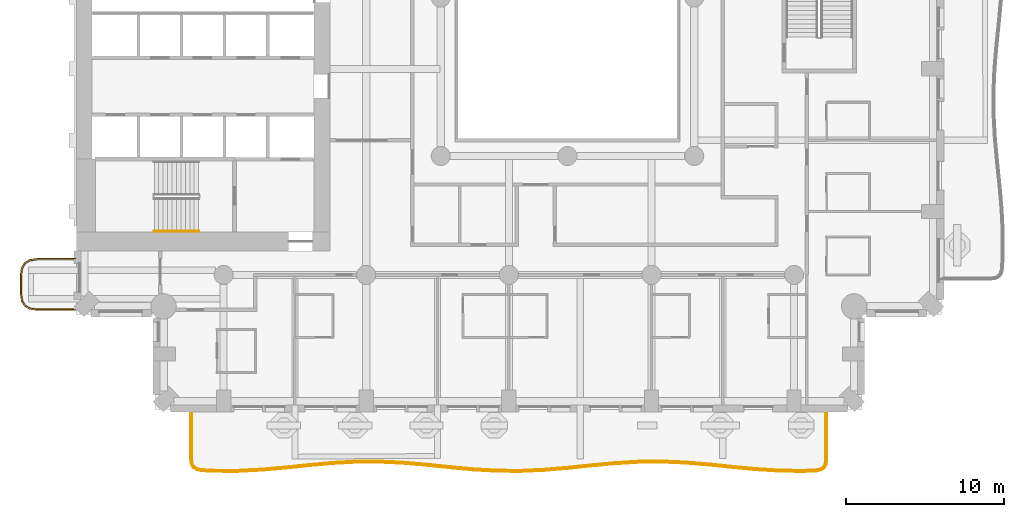
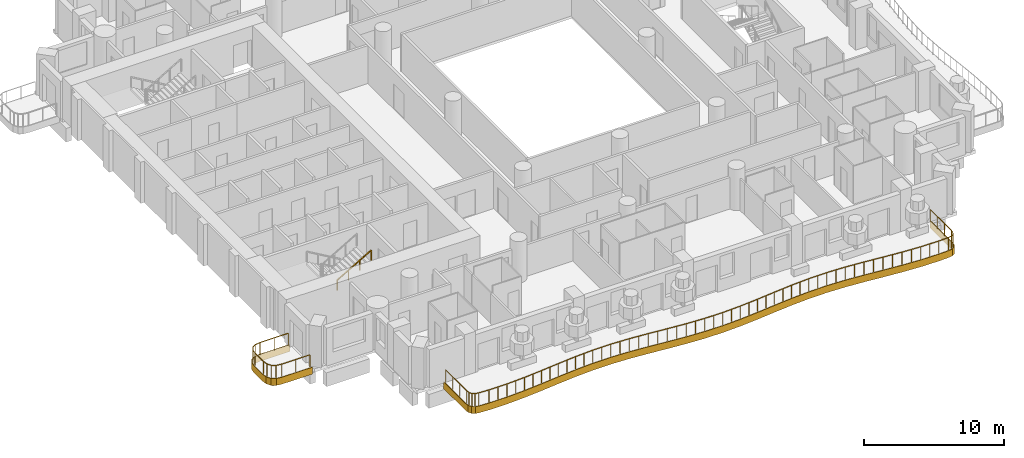
# One storey, part 13 of 20: 3 railings, 2 coverings.
"""IFC4 building model written with IfcOpenShell, lengths in metres."""

from ifc_helpers import new_model, si_unit, direction, frame, origin, origin_2d, place, context, subcontext, project, spatial, polyline, rectangle, outline, extrude, material, layer, layer_set, type_object, element, save


model = new_model("IFC4")

# Units and contexts
model_context = context("Model", 3, precision=1e-05, world=origin(), true_north=direction((0.0, 1.0)))
body_context = subcontext(model_context, "Body", "Model", "MODEL_VIEW")
ifc_project = project(units=[si_unit("LENGTHUNIT", "METRE"), si_unit("AREAUNIT", "SQUARE_METRE"), si_unit("VOLUMEUNIT", "CUBIC_METRE"), si_unit("PLANEANGLEUNIT", "RADIAN"), si_unit("MASSUNIT", "GRAM", prefix="KILO")], contexts=[model_context])

# Site, building, storey
site_placement = place(None, origin())
site = spatial("IfcSite", under=ifc_project, at=site_placement, CompositionType="ELEMENT")
building_placement = place(site_placement, origin())
building = spatial("IfcBuilding", under=site, at=building_placement, Name="Cypress Arch Tower", CompositionType="ELEMENT")
storey_placement = place(building_placement, frame((0.0, 0.0, 95.10009765625)))
storey = spatial("IfcBuildingStorey", under=building, at=storey_placement, Name="L18", CompositionType="ELEMENT", Elevation=95.10009765625)

# Coverings
ifc_material_1 = material(Name="White powder-coated aluminium fascia", Category="aluminium")
ifc_layer = layer(ifc_material_1, 0.050048828125)
ifc_layer_set = layer_set([ifc_layer], Name="Balcony fascia BF50")
covering_type = type_object("IfcCoveringType", Name="Balcony fascia BF50", PredefinedType="CLADDING", material=ifc_layer_set)
covering_1_placement = place(storey_placement, frame((0.0, 0.0, -0.60009765625)))
element("IfcCovering", 1, at=covering_1_placement, inside=storey, type_object=covering_type, Name="Balcony fascia L18-A00W1", PredefinedType="CLADDING", context=body_context, shape_type="SweptSolid", body=[
    extrude(outline(polyline([(-32.503662109375, -19.75), (-32.95458984375, -19.685546875), (-33.286376953125, -19.486328125), (-33.485595703125, -19.154541015625), (-33.550048828125, -18.70361328125), (-33.550048828125, -17.496337890625), (-33.485595703125, -17.04541015625), (-33.286376953125, -16.713623046875), (-32.95458984375, -16.514404296875), (-32.503662109375, -16.449951171875), (-30.0009765625, -16.449951171875), (-30.0009765625, -16.5), (-32.5, -16.5), (-32.9375, -16.5625), (-33.25, -16.75), (-33.4375, -17.0625), (-33.5, -17.5), (-33.5, -18.699951171875), (-33.4375, -19.137451171875), (-33.25, -19.449951171875), (-32.9375, -19.637451171875), (-32.5, -19.699951171875), (-30.0009765625, -19.699951171875), (-30.0009765625, -19.75), (-32.503662109375, -19.75)])), origin(), (0.0, 0.0, 1.0), 0.60009765625),
])
covering_2_placement = place(storey_placement, frame((0.0, 0.0, -0.60009765625)))
element("IfcCovering", 2, at=covering_2_placement, inside=storey, type_object=covering_type, Name="Balcony fascia L18-A03", PredefinedType="CLADDING", context=body_context, shape_type="SweptSolid", body=[
    extrude(outline(polyline([(17.39990234375, -29.17431640625), (17.3564453125, -29.481689453125), (17.219970703125, -29.714599609375), (16.99267578125, -29.85986328125), (16.687255859375, -29.91552734375), (15.865478515625, -29.947509765625), (14.377685546875, -29.92724609375), (12.890625, -29.833984375), (11.404296875, -29.6923828125), (9.91943359375, -29.539794921875), (8.435791015625, -29.416015625), (6.952880859375, -29.353759765625), (5.47021484375, -29.369140625), (3.987060546875, -29.458251953125), (2.503173828125, -29.597900390625), (1.017578125, -29.751220703125), (-0.468994140625, -29.8779296875), (-1.95654296875, -29.944580078125), (-3.444091796875, -29.933837890625), (-4.931396484375, -29.848388671875), (-6.417724609375, -29.710693359375), (-7.90283203125, -29.557373046875), (-9.38671875, -29.42822265625), (-10.86962890625, -29.357177734375), (-12.352294921875, -29.36328125), (-13.835205078125, -29.4443359375), (-15.3193359375, -29.57958984375), (-16.804443359375, -29.7333984375), (-18.291015625, -29.865234375), (-19.7783203125, -29.940673828125), (-21.26611328125, -29.939453125), (-22.087890625, -29.896728515625), (-22.393310546875, -29.837158203125), (-22.6201171875, -29.68896484375), (-22.75634765625, -29.45458984375), (-22.800048828125, -29.146484375), (-22.800048828125, -26.0009765625), (-22.75, -26.0009765625), (-22.75, -29.142822265625), (-22.708251953125, -29.437744140625), (-22.5830078125, -29.653564453125), (-22.3740234375, -29.789794921875), (-22.081787109375, -29.846923828125), (-21.264892578125, -29.889404296875), (-19.779541015625, -29.890625), (-18.29443359375, -29.8154296875), (-16.809326171875, -29.68359375), (-15.323974609375, -29.52978515625), (-13.8388671875, -29.39453125), (-12.353759765625, -29.313232421875), (-10.868408203125, -29.307373046875), (-9.38330078125, -29.378173828125), (-7.898193359375, -29.507568359375), (-6.412841796875, -29.6611328125), (-4.927734375, -29.798583984375), (-3.442626953125, -29.8837890625), (-1.95751953125, -29.89453125), (-0.47216796875, -29.827880859375), (1.012939453125, -29.701416015625), (2.498046875, -29.548095703125), (3.9833984375, -29.408447265625), (5.468505859375, -29.3193359375), (6.95361328125, -29.3037109375), (8.43896484375, -29.3662109375), (9.924072265625, -29.489990234375), (11.4091796875, -29.642822265625), (12.89453125, -29.7841796875), (14.379638671875, -29.87744140625), (15.86474609375, -29.8974609375), (16.681640625, -29.86572265625), (16.97412109375, -29.8125), (17.182861328125, -29.678955078125), (17.308349609375, -29.465087890625), (17.35009765625, -29.170654296875), (17.35009765625, -26.0009765625), (17.39990234375, -26.0009765625), (17.39990234375, -29.17431640625)])), origin(), (0.0, 0.0, 1.0), 0.60009765625),
])

# Railings
ifc_material_2 = material(Name="Powder-coated steel posts and rods, 100 mm clear between rods", Category="steel")
railing_type_1 = type_object("IfcRailingType", Name="Balcony guard GR1100", PredefinedType="GUARDRAIL", material=ifc_material_2)
railing_1_placement = place(storey_placement, frame((-30.14990234375, -19.64990234375, 0.0)))
element("IfcRailing", 3, at=railing_1_placement, inside=storey, type_object=railing_type_1, Name="Balcony guard L18-A00W1", PredefinedType="GUARDRAIL", context=body_context, shape_type="SweptSolid", body=[
    extrude(rectangle(XDim=0.050048828125, YDim=0.050048828125, at=origin_2d()), frame((0.0, 0.0, 1.0751953125), z_axis=(-1.0, 0.0, 0.0), x_axis=(0.0, -1.0, 0.0)), (0.0, 0.0, 1.0), 2.346435546875),
    extrude(rectangle(XDim=0.050048828125, YDim=0.050048828125, at=origin_2d()), frame((-2.346435546875, 0.0, 1.0751953125), z_axis=(-0.989960888959, 0.141341566184, 0.0), x_axis=(-0.141341566184, -0.989960888959, 0.0)), (0.0, 0.0, 1.0), 0.428466796875),
    extrude(rectangle(XDim=0.050048828125, YDim=0.050048828125, at=origin_2d()), frame((-2.7705078125, 0.060546875, 1.0751953125), z_axis=(-0.857681904839, 0.514180659021, 0.0), x_axis=(-0.514180659021, -0.857681904839, 0.0)), (0.0, 0.0, 1.0), 0.341796875),
    extrude(rectangle(XDim=0.050048828125, YDim=0.050048828125, at=origin_2d()), frame((-3.063720703125, 0.236328125, 1.0751953125), z_axis=(-0.514180659021, 0.857681904839, 0.0), x_axis=(-0.857681904839, -0.514180659021, 0.0)), (0.0, 0.0, 1.0), 0.341796875),
    extrude(rectangle(XDim=0.050048828125, YDim=0.050048828125, at=origin_2d()), frame((-3.239501953125, 0.529541015625, 1.0751953125), z_axis=(-0.141421356237, 0.989949493661, 0.0), x_axis=(-0.989949493661, -0.141421356237, 0.0)), (0.0, 0.0, 1.0), 0.42822265625),
    extrude(rectangle(XDim=0.050048828125, YDim=0.050048828125, at=origin_2d()), frame((-3.300048828125, 0.953369140625, 1.0751953125), z_axis=(0.0, 1.0, 0.0), x_axis=(-1.0, 0.0, 0.0)), (0.0, 0.0, 1.0), 1.19287109375),
    extrude(rectangle(XDim=0.050048828125, YDim=0.050048828125, at=origin_2d()), frame((-3.300048828125, 2.146240234375, 1.0751953125), z_axis=(0.141341566184, 0.989960888959, 0.0), x_axis=(-0.989960888959, 0.141341566184, 0.0)), (0.0, 0.0, 1.0), 0.428466796875),
    extrude(rectangle(XDim=0.050048828125, YDim=0.050048828125, at=origin_2d()), frame((-3.239501953125, 2.5703125, 1.0751953125), z_axis=(0.514180659021, 0.857681904839, 0.0), x_axis=(-0.857681904839, 0.514180659021, 0.0)), (0.0, 0.0, 1.0), 0.341796875),
    extrude(rectangle(XDim=0.050048828125, YDim=0.050048828125, at=origin_2d()), frame((-3.063720703125, 2.863525390625, 1.0751953125), z_axis=(0.857681904839, 0.514180659021, 0.0), x_axis=(-0.514180659021, 0.857681904839, 0.0)), (0.0, 0.0, 1.0), 0.341796875),
    extrude(rectangle(XDim=0.050048828125, YDim=0.050048828125, at=origin_2d()), frame((-2.7705078125, 3.039306640625, 1.0751953125), z_axis=(0.989960888959, 0.141341566184, 0.0), x_axis=(-0.141341566184, 0.989960888959, 0.0)), (0.0, 0.0, 1.0), 0.428466796875),
    extrude(rectangle(XDim=0.050048828125, YDim=0.050048828125, at=origin_2d()), frame((-2.346435546875, 3.099853515625, 1.0751953125), z_axis=(1.0, 0.0, 0.0), x_axis=(0.0, 1.0, 0.0)), (0.0, 0.0, 1.0), 2.346435546875),
    extrude(rectangle(XDim=0.0400390625, YDim=0.0400390625, at=origin_2d()), origin(), (0.0, 0.0, 1.0), 1.050048828125),
    extrude(rectangle(XDim=0.0400390625, YDim=0.0400390625, at=origin_2d()), frame((-1.17333984375, 0.0, 0.0)), (0.0, 0.0, 1.0), 1.050048828125),
    extrude(rectangle(XDim=0.0400390625, YDim=0.0400390625, at=origin_2d()), frame((-2.346435546875, 0.0, 0.0)), (0.0, 0.0, 1.0), 1.050048828125),
    extrude(rectangle(XDim=0.0400390625, YDim=0.0400390625, at=origin_2d()), frame((-2.7705078125, 0.060546875, 0.0)), (0.0, 0.0, 1.0), 1.050048828125),
    extrude(rectangle(XDim=0.0400390625, YDim=0.0400390625, at=origin_2d()), frame((-3.063720703125, 0.236328125, 0.0)), (0.0, 0.0, 1.0), 1.050048828125),
    extrude(rectangle(XDim=0.0400390625, YDim=0.0400390625, at=origin_2d()), frame((-3.239501953125, 0.529541015625, 0.0)), (0.0, 0.0, 1.0), 1.050048828125),
    extrude(rectangle(XDim=0.0400390625, YDim=0.0400390625, at=origin_2d()), frame((-3.300048828125, 0.953369140625, 0.0)), (0.0, 0.0, 1.0), 1.050048828125),
    extrude(rectangle(XDim=0.0400390625, YDim=0.0400390625, at=origin_2d()), frame((-3.300048828125, 2.146240234375, 0.0)), (0.0, 0.0, 1.0), 1.050048828125),
    extrude(rectangle(XDim=0.0400390625, YDim=0.0400390625, at=origin_2d()), frame((-3.239501953125, 2.5703125, 0.0)), (0.0, 0.0, 1.0), 1.050048828125),
    extrude(rectangle(XDim=0.0400390625, YDim=0.0400390625, at=origin_2d()), frame((-3.063720703125, 2.863525390625, 0.0)), (0.0, 0.0, 1.0), 1.050048828125),
    extrude(rectangle(XDim=0.0400390625, YDim=0.0400390625, at=origin_2d()), frame((-2.7705078125, 3.039306640625, 0.0)), (0.0, 0.0, 1.0), 1.050048828125),
    extrude(rectangle(XDim=0.0400390625, YDim=0.0400390625, at=origin_2d()), frame((-2.346435546875, 3.099853515625, 0.0)), (0.0, 0.0, 1.0), 1.050048828125),
    extrude(rectangle(XDim=0.0400390625, YDim=0.0400390625, at=origin_2d()), frame((-1.17333984375, 3.099853515625, 0.0)), (0.0, 0.0, 1.0), 1.050048828125),
    extrude(rectangle(XDim=0.0400390625, YDim=0.0400390625, at=origin_2d()), frame((0.0, 3.099853515625, 0.0)), (0.0, 0.0, 1.0), 1.050048828125),
])
railing_2_placement = place(storey_placement, frame((17.300048828125, -26.14990234375, 0.0)))
element("IfcRailing", 4, at=railing_2_placement, inside=storey, type_object=railing_type_1, Name="Balcony guard L18-A03", PredefinedType="GUARDRAIL", context=body_context, shape_type="SweptSolid", body=[
    extrude(rectangle(XDim=0.050048828125, YDim=0.050048828125, at=origin_2d()), frame((0.0, 0.0, 1.0751953125), z_axis=(0.0, -1.0, 0.0), x_axis=(1.0, 0.0, 0.0)), (0.0, 0.0, 1.0), 3.017333984375),
    extrude(rectangle(XDim=0.050048828125, YDim=0.050048828125, at=origin_2d()), frame((0.0, -3.017333984375, 1.0751953125), z_axis=(-0.141060095357, -0.990001035099, 0.0), x_axis=(0.990001035099, -0.141060095357, 0.0)), (0.0, 0.0, 1.0), 0.283935546875),
    extrude(rectangle(XDim=0.050048828125, YDim=0.050048828125, at=origin_2d()), frame((-0.0400390625, -3.29833984375, 1.0751953125), z_axis=(-0.505414598501, -0.86287663291, 0.0), x_axis=(0.86287663291, -0.505414598501, 0.0)), (0.0, 0.0, 1.0), 0.22607421875),
    extrude(rectangle(XDim=0.050048828125, YDim=0.050048828125, at=origin_2d()), frame((-0.154296875, -3.493408203125, 1.0751953125), z_axis=(-0.842369453542, -0.538900458099, 0.0), x_axis=(0.538900458099, -0.842369453542, 0.0)), (0.0, 0.0, 1.0), 0.22607421875),
    extrude(rectangle(XDim=0.050048828125, YDim=0.050048828125, at=origin_2d()), frame((-0.3447265625, -3.615234375, 1.0751953125), z_axis=(-0.983842354294, -0.179036928865, 0.0), x_axis=(0.179036928865, -0.983842354294, 0.0)), (0.0, 0.0, 1.0), 0.28369140625),
    extrude(rectangle(XDim=0.050048828125, YDim=0.050048828125, at=origin_2d()), frame((-0.623779296875, -3.666015625, 1.0751953125), z_axis=(-0.999237016829, -0.039056167224, 0.0), x_axis=(0.039056167224, -0.999237016829, 0.0)), (0.0, 0.0, 1.0), 0.812744140625),
    extrude(rectangle(XDim=0.050048828125, YDim=0.050048828125, at=origin_2d()), frame((-1.435791015625, -3.69775390625, 1.0751953125), z_axis=(-0.999906618942, 0.013665774637, 0.0), x_axis=(-0.013665774637, -0.999906618942, 0.0)), (0.0, 0.0, 1.0), 1.48291015625),
    extrude(rectangle(XDim=0.050048828125, YDim=0.050048828125, at=origin_2d()), frame((-2.91845703125, -3.677490234375, 1.0751953125), z_axis=(-0.998039131201, 0.062593071438, 0.0), x_axis=(-0.062593071438, -0.998039131201, 0.0)), (0.0, 0.0, 1.0), 1.486083984375),
    extrude(rectangle(XDim=0.050048828125, YDim=0.050048828125, at=origin_2d()), frame((-4.401611328125, -3.58447265625, 1.0751953125), z_axis=(-0.995494736566, 0.094816820607, 0.0), x_axis=(-0.094816820607, -0.995494736566, 0.0)), (0.0, 0.0, 1.0), 1.490966796875),
    extrude(rectangle(XDim=0.050048828125, YDim=0.050048828125, at=origin_2d()), frame((-5.8857421875, -3.443115234375, 1.0751953125), z_axis=(-0.994749908611, 0.102335816399, 0.0), x_axis=(-0.102335816399, -0.994749908611, 0.0)), (0.0, 0.0, 1.0), 1.493408203125),
    extrude(rectangle(XDim=0.050048828125, YDim=0.050048828125, at=origin_2d()), frame((-7.371337890625, -3.290283203125, 1.0751953125), z_axis=(-0.996537852811, 0.083140290561, 0.0), x_axis=(-0.083140290561, -0.996537852811, 0.0)), (0.0, 0.0, 1.0), 1.49169921875),
    extrude(rectangle(XDim=0.050048828125, YDim=0.050048828125, at=origin_2d()), frame((-8.85791015625, -3.166259765625, 1.0751953125), z_axis=(-0.999118518809, 0.041978391731, 0.0), x_axis=(-0.041978391731, -0.999118518809, 0.0)), (0.0, 0.0, 1.0), 1.48876953125),
    extrude(rectangle(XDim=0.050048828125, YDim=0.050048828125, at=origin_2d()), frame((-10.345458984375, -3.103759765625, 1.0751953125), z_axis=(-0.99994485716, -0.010501554128, 0.0), x_axis=(0.010501554128, -0.99994485716, 0.0)), (0.0, 0.0, 1.0), 1.48779296875),
    extrude(rectangle(XDim=0.050048828125, YDim=0.050048828125, at=origin_2d()), frame((-11.833251953125, -3.119384765625, 1.0751953125), z_axis=(-0.998200140314, -0.059970658463, 0.0), x_axis=(0.059970658463, -0.998200140314, 0.0)), (0.0, 0.0, 1.0), 1.489990234375),
    extrude(rectangle(XDim=0.050048828125, YDim=0.050048828125, at=origin_2d()), frame((-13.320556640625, -3.208740234375, 1.0751953125), z_axis=(-0.995615207879, -0.093543347389, 0.0), x_axis=(0.093543347389, -0.995615207879, 0.0)), (0.0, 0.0, 1.0), 1.492919921875),
    extrude(rectangle(XDim=0.050048828125, YDim=0.050048828125, at=origin_2d()), frame((-14.806884765625, -3.348388671875, 1.0751953125), z_axis=(-0.99471140174, -0.102709431156, 0.0), x_axis=(0.102709431156, -0.99471140174, 0.0)), (0.0, 0.0, 1.0), 1.49267578125),
    extrude(rectangle(XDim=0.050048828125, YDim=0.050048828125, at=origin_2d()), frame((-16.291748046875, -3.501708984375, 1.0751953125), z_axis=(-0.996387980043, -0.084917567236, 0.0), x_axis=(0.084917567236, -0.996387980043, 0.0)), (0.0, 0.0, 1.0), 1.4892578125),
    extrude(rectangle(XDim=0.050048828125, YDim=0.050048828125, at=origin_2d()), frame((-17.775634765625, -3.628173828125, 1.0751953125), z_axis=(-0.998991139461, -0.04490771959, 0.0), x_axis=(0.04490771959, -0.998991139461, 0.0)), (0.0, 0.0, 1.0), 1.484130859375),
    extrude(rectangle(XDim=0.050048828125, YDim=0.050048828125, at=origin_2d()), frame((-19.25830078125, -3.69482421875, 1.0751953125), z_axis=(-0.999973754691, 0.007244993447, 0.0), x_axis=(-0.007244993447, -0.999973754691, 0.0)), (0.0, 0.0, 1.0), 1.482666015625),
    extrude(rectangle(XDim=0.050048828125, YDim=0.050048828125, at=origin_2d()), frame((-20.740966796875, -3.68408203125, 1.0751953125), z_axis=(-0.998353904879, 0.057353993877, 0.0), x_axis=(-0.057353993877, -0.998353904879, 0.0)), (0.0, 0.0, 1.0), 1.485595703125),
    extrude(rectangle(XDim=0.050048828125, YDim=0.050048828125, at=origin_2d()), frame((-22.22412109375, -3.598876953125, 1.0751953125), z_axis=(-0.995738724499, 0.092219263348, 0.0), x_axis=(-0.092219263348, -0.995738724499, 0.0)), (0.0, 0.0, 1.0), 1.490478515625),
    extrude(rectangle(XDim=0.050048828125, YDim=0.050048828125, at=origin_2d()), frame((-23.708251953125, -3.46142578125, 1.0751953125), z_axis=(-0.99469640988, 0.10285451945, 0.0), x_axis=(-0.10285451945, -0.99469640988, 0.0)), (0.0, 0.0, 1.0), 1.492919921875),
    extrude(rectangle(XDim=0.050048828125, YDim=0.050048828125, at=origin_2d()), frame((-25.193359375, -3.307861328125, 1.0751953125), z_axis=(-0.996233217451, 0.086714338192, 0.0), x_axis=(-0.086714338192, -0.996233217451, 0.0)), (0.0, 0.0, 1.0), 1.4921875),
    extrude(rectangle(XDim=0.050048828125, YDim=0.050048828125, at=origin_2d()), frame((-26.679931640625, -3.178466796875, 1.0751953125), z_axis=(-0.998861451763, 0.047705347524, 0.0), x_axis=(-0.047705347524, -0.998861451763, 0.0)), (0.0, 0.0, 1.0), 1.4892578125),
    extrude(rectangle(XDim=0.050048828125, YDim=0.050048828125, at=origin_2d()), frame((-28.16748046875, -3.107421875, 1.0751953125), z_axis=(-0.999992244987, -0.003938269426, 0.0), x_axis=(0.003938269426, -0.999992244987, 0.0)), (0.0, 0.0, 1.0), 1.48779296875),
    extrude(rectangle(XDim=0.050048828125, YDim=0.050048828125, at=origin_2d()), frame((-29.6552734375, -3.11328125, 1.0751953125), z_axis=(-0.998500434591, -0.054743786138, 0.0), x_axis=(0.054743786138, -0.998500434591, 0.0)), (0.0, 0.0, 1.0), 1.489501953125),
    extrude(rectangle(XDim=0.050048828125, YDim=0.050048828125, at=origin_2d()), frame((-31.142578125, -3.19482421875, 1.0751953125), z_axis=(-0.995870381077, -0.090786475279, 0.0), x_axis=(0.090786475279, -0.995870381077, 0.0)), (0.0, 0.0, 1.0), 1.492431640625),
    extrude(rectangle(XDim=0.050048828125, YDim=0.050048828125, at=origin_2d()), frame((-32.62890625, -3.330322265625, 1.0751953125), z_axis=(-0.99469640988, -0.10285451945, 0.0), x_axis=(0.10285451945, -0.99469640988, 0.0)), (0.0, 0.0, 1.0), 1.492919921875),
    extrude(rectangle(XDim=0.050048828125, YDim=0.050048828125, at=origin_2d()), frame((-34.114013671875, -3.48388671875, 1.0751953125), z_axis=(-0.996076493913, -0.088496430851, 0.0), x_axis=(0.088496430851, -0.996076493913, 0.0)), (0.0, 0.0, 1.0), 1.48974609375),
    extrude(rectangle(XDim=0.050048828125, YDim=0.050048828125, at=origin_2d()), frame((-35.597900390625, -3.61572265625, 1.0751953125), z_axis=(-0.99872512954, -0.050478863149, 0.0), x_axis=(0.050478863149, -0.99872512954, 0.0)), (0.0, 0.0, 1.0), 1.48486328125),
    extrude(rectangle(XDim=0.050048828125, YDim=0.050048828125, at=origin_2d()), frame((-37.080810546875, -3.690673828125, 1.0751953125), z_axis=(-0.999999661075, 0.000823316039, 0.0), x_axis=(-0.000823316039, -0.999999661075, 0.0)), (0.0, 0.0, 1.0), 1.482666015625),
    extrude(rectangle(XDim=0.050048828125, YDim=0.050048828125, at=origin_2d()), frame((-38.5634765625, -3.689453125, 1.0751953125), z_axis=(-0.998649988172, 0.051944211652, 0.0), x_axis=(-0.051944211652, -0.998649988172, 0.0)), (0.0, 0.0, 1.0), 0.81298828125),
    extrude(rectangle(XDim=0.050048828125, YDim=0.050048828125, at=origin_2d()), frame((-39.37548828125, -3.647216796875, 1.0751953125), z_axis=(-0.981557344174, 0.1911679369, 0.0), x_axis=(-0.1911679369, -0.981557344174, 0.0)), (0.0, 0.0, 1.0), 0.284912109375),
    extrude(rectangle(XDim=0.050048828125, YDim=0.050048828125, at=origin_2d()), frame((-39.655029296875, -3.5927734375, 1.0751953125), z_axis=(-0.837290536934, 0.546758225142, 0.0), x_axis=(-0.546758225142, -0.837290536934, 0.0)), (0.0, 0.0, 1.0), 0.227783203125),
    extrude(rectangle(XDim=0.050048828125, YDim=0.050048828125, at=origin_2d()), frame((-39.845703125, -3.46826171875, 1.0751953125), z_axis=(-0.502471480426, 0.864593784016, 0.0), x_axis=(-0.864593784016, -0.502471480426, 0.0)), (0.0, 0.0, 1.0), 0.227783203125),
    extrude(rectangle(XDim=0.050048828125, YDim=0.050048828125, at=origin_2d()), frame((-39.960205078125, -3.271240234375, 1.0751953125), z_axis=(-0.139859558217, 0.990171350815, 0.0), x_axis=(-0.990171350815, -0.139859558217, 0.0)), (0.0, 0.0, 1.0), 0.284423828125),
    extrude(rectangle(XDim=0.050048828125, YDim=0.050048828125, at=origin_2d()), frame((-40.0, -2.989501953125, 1.0751953125), z_axis=(0.0, 1.0, 0.0), x_axis=(-1.0, 0.0, 0.0)), (0.0, 0.0, 1.0), 2.989501953125),
    extrude(rectangle(XDim=0.0400390625, YDim=0.0400390625, at=origin_2d()), origin(), (0.0, 0.0, 1.0), 1.050048828125),
    extrude(rectangle(XDim=0.0400390625, YDim=0.0400390625, at=origin_2d()), frame((0.0, -1.005859375, 0.0)), (0.0, 0.0, 1.0), 1.050048828125),
    extrude(rectangle(XDim=0.0400390625, YDim=0.0400390625, at=origin_2d()), frame((0.0, -2.011474609375, 0.0)), (0.0, 0.0, 1.0), 1.050048828125),
    extrude(rectangle(XDim=0.0400390625, YDim=0.0400390625, at=origin_2d()), frame((0.0, -3.017333984375, 0.0)), (0.0, 0.0, 1.0), 1.050048828125),
    extrude(rectangle(XDim=0.0400390625, YDim=0.0400390625, at=origin_2d()), frame((-0.0400390625, -3.29833984375, 0.0)), (0.0, 0.0, 1.0), 1.050048828125),
    extrude(rectangle(XDim=0.0400390625, YDim=0.0400390625, at=origin_2d()), frame((-0.154296875, -3.493408203125, 0.0)), (0.0, 0.0, 1.0), 1.050048828125),
    extrude(rectangle(XDim=0.0400390625, YDim=0.0400390625, at=origin_2d()), frame((-0.3447265625, -3.615234375, 0.0)), (0.0, 0.0, 1.0), 1.050048828125),
    extrude(rectangle(XDim=0.0400390625, YDim=0.0400390625, at=origin_2d()), frame((-0.623779296875, -3.666015625, 0.0)), (0.0, 0.0, 1.0), 1.050048828125),
    extrude(rectangle(XDim=0.0400390625, YDim=0.0400390625, at=origin_2d()), frame((-1.435791015625, -3.69775390625, 0.0)), (0.0, 0.0, 1.0), 1.050048828125),
    extrude(rectangle(XDim=0.0400390625, YDim=0.0400390625, at=origin_2d()), frame((-2.17724609375, -3.6875, 0.0)), (0.0, 0.0, 1.0), 1.050048828125),
    extrude(rectangle(XDim=0.0400390625, YDim=0.0400390625, at=origin_2d()), frame((-2.91845703125, -3.677490234375, 0.0)), (0.0, 0.0, 1.0), 1.050048828125),
    extrude(rectangle(XDim=0.0400390625, YDim=0.0400390625, at=origin_2d()), frame((-3.66015625, -3.630859375, 0.0)), (0.0, 0.0, 1.0), 1.050048828125),
    extrude(rectangle(XDim=0.0400390625, YDim=0.0400390625, at=origin_2d()), frame((-4.401611328125, -3.58447265625, 0.0)), (0.0, 0.0, 1.0), 1.050048828125),
    extrude(rectangle(XDim=0.0400390625, YDim=0.0400390625, at=origin_2d()), frame((-5.1435546875, -3.513671875, 0.0)), (0.0, 0.0, 1.0), 1.050048828125),
    extrude(rectangle(XDim=0.0400390625, YDim=0.0400390625, at=origin_2d()), frame((-5.8857421875, -3.443115234375, 0.0)), (0.0, 0.0, 1.0), 1.050048828125),
    extrude(rectangle(XDim=0.0400390625, YDim=0.0400390625, at=origin_2d()), frame((-6.62841796875, -3.36669921875, 0.0)), (0.0, 0.0, 1.0), 1.050048828125),
    extrude(rectangle(XDim=0.0400390625, YDim=0.0400390625, at=origin_2d()), frame((-7.371337890625, -3.290283203125, 0.0)), (0.0, 0.0, 1.0), 1.050048828125),
    extrude(rectangle(XDim=0.0400390625, YDim=0.0400390625, at=origin_2d()), frame((-8.11474609375, -3.228271484375, 0.0)), (0.0, 0.0, 1.0), 1.050048828125),
    extrude(rectangle(XDim=0.0400390625, YDim=0.0400390625, at=origin_2d()), frame((-8.85791015625, -3.166259765625, 0.0)), (0.0, 0.0, 1.0), 1.050048828125),
    extrude(rectangle(XDim=0.0400390625, YDim=0.0400390625, at=origin_2d()), frame((-9.6015625, -3.135009765625, 0.0)), (0.0, 0.0, 1.0), 1.050048828125),
    extrude(rectangle(XDim=0.0400390625, YDim=0.0400390625, at=origin_2d()), frame((-10.345458984375, -3.103759765625, 0.0)), (0.0, 0.0, 1.0), 1.050048828125),
    extrude(rectangle(XDim=0.0400390625, YDim=0.0400390625, at=origin_2d()), frame((-11.08935546875, -3.111572265625, 0.0)), (0.0, 0.0, 1.0), 1.050048828125),
    extrude(rectangle(XDim=0.0400390625, YDim=0.0400390625, at=origin_2d()), frame((-11.833251953125, -3.119384765625, 0.0)), (0.0, 0.0, 1.0), 1.050048828125),
    extrude(rectangle(XDim=0.0400390625, YDim=0.0400390625, at=origin_2d()), frame((-12.576904296875, -3.1640625, 0.0)), (0.0, 0.0, 1.0), 1.050048828125),
    extrude(rectangle(XDim=0.0400390625, YDim=0.0400390625, at=origin_2d()), frame((-13.320556640625, -3.208740234375, 0.0)), (0.0, 0.0, 1.0), 1.050048828125),
    extrude(rectangle(XDim=0.0400390625, YDim=0.0400390625, at=origin_2d()), frame((-14.063720703125, -3.278564453125, 0.0)), (0.0, 0.0, 1.0), 1.050048828125),
    extrude(rectangle(XDim=0.0400390625, YDim=0.0400390625, at=origin_2d()), frame((-14.806884765625, -3.348388671875, 0.0)), (0.0, 0.0, 1.0), 1.050048828125),
    extrude(rectangle(XDim=0.0400390625, YDim=0.0400390625, at=origin_2d()), frame((-15.54931640625, -3.425048828125, 0.0)), (0.0, 0.0, 1.0), 1.050048828125),
    extrude(rectangle(XDim=0.0400390625, YDim=0.0400390625, at=origin_2d()), frame((-16.291748046875, -3.501708984375, 0.0)), (0.0, 0.0, 1.0), 1.050048828125),
    extrude(rectangle(XDim=0.0400390625, YDim=0.0400390625, at=origin_2d()), frame((-17.03369140625, -3.56494140625, 0.0)), (0.0, 0.0, 1.0), 1.050048828125),
    extrude(rectangle(XDim=0.0400390625, YDim=0.0400390625, at=origin_2d()), frame((-17.775634765625, -3.628173828125, 0.0)), (0.0, 0.0, 1.0), 1.050048828125),
    extrude(rectangle(XDim=0.0400390625, YDim=0.0400390625, at=origin_2d()), frame((-18.51708984375, -3.66162109375, 0.0)), (0.0, 0.0, 1.0), 1.050048828125),
    extrude(rectangle(XDim=0.0400390625, YDim=0.0400390625, at=origin_2d()), frame((-19.25830078125, -3.69482421875, 0.0)), (0.0, 0.0, 1.0), 1.050048828125),
    extrude(rectangle(XDim=0.0400390625, YDim=0.0400390625, at=origin_2d()), frame((-19.99951171875, -3.689453125, 0.0)), (0.0, 0.0, 1.0), 1.050048828125),
    extrude(rectangle(XDim=0.0400390625, YDim=0.0400390625, at=origin_2d()), frame((-20.740966796875, -3.68408203125, 0.0)), (0.0, 0.0, 1.0), 1.050048828125),
    extrude(rectangle(XDim=0.0400390625, YDim=0.0400390625, at=origin_2d()), frame((-21.482421875, -3.6416015625, 0.0)), (0.0, 0.0, 1.0), 1.050048828125),
    extrude(rectangle(XDim=0.0400390625, YDim=0.0400390625, at=origin_2d()), frame((-22.22412109375, -3.598876953125, 0.0)), (0.0, 0.0, 1.0), 1.050048828125),
    extrude(rectangle(XDim=0.0400390625, YDim=0.0400390625, at=origin_2d()), frame((-22.96630859375, -3.5302734375, 0.0)), (0.0, 0.0, 1.0), 1.050048828125),
    extrude(rectangle(XDim=0.0400390625, YDim=0.0400390625, at=origin_2d()), frame((-23.708251953125, -3.46142578125, 0.0)), (0.0, 0.0, 1.0), 1.050048828125),
    extrude(rectangle(XDim=0.0400390625, YDim=0.0400390625, at=origin_2d()), frame((-24.45068359375, -3.384765625, 0.0)), (0.0, 0.0, 1.0), 1.050048828125),
    extrude(rectangle(XDim=0.0400390625, YDim=0.0400390625, at=origin_2d()), frame((-25.193359375, -3.307861328125, 0.0)), (0.0, 0.0, 1.0), 1.050048828125),
    extrude(rectangle(XDim=0.0400390625, YDim=0.0400390625, at=origin_2d()), frame((-25.9365234375, -3.2431640625, 0.0)), (0.0, 0.0, 1.0), 1.050048828125),
    extrude(rectangle(XDim=0.0400390625, YDim=0.0400390625, at=origin_2d()), frame((-26.679931640625, -3.178466796875, 0.0)), (0.0, 0.0, 1.0), 1.050048828125),
    extrude(rectangle(XDim=0.0400390625, YDim=0.0400390625, at=origin_2d()), frame((-27.423828125, -3.14306640625, 0.0)), (0.0, 0.0, 1.0), 1.050048828125),
    extrude(rectangle(XDim=0.0400390625, YDim=0.0400390625, at=origin_2d()), frame((-28.16748046875, -3.107421875, 0.0)), (0.0, 0.0, 1.0), 1.050048828125),
    extrude(rectangle(XDim=0.0400390625, YDim=0.0400390625, at=origin_2d()), frame((-28.911376953125, -3.1103515625, 0.0)), (0.0, 0.0, 1.0), 1.050048828125),
    extrude(rectangle(XDim=0.0400390625, YDim=0.0400390625, at=origin_2d()), frame((-29.6552734375, -3.11328125, 0.0)), (0.0, 0.0, 1.0), 1.050048828125),
    extrude(rectangle(XDim=0.0400390625, YDim=0.0400390625, at=origin_2d()), frame((-30.39892578125, -3.154052734375, 0.0)), (0.0, 0.0, 1.0), 1.050048828125),
    extrude(rectangle(XDim=0.0400390625, YDim=0.0400390625, at=origin_2d()), frame((-31.142578125, -3.19482421875, 0.0)), (0.0, 0.0, 1.0), 1.050048828125),
    extrude(rectangle(XDim=0.0400390625, YDim=0.0400390625, at=origin_2d()), frame((-31.8857421875, -3.2626953125, 0.0)), (0.0, 0.0, 1.0), 1.050048828125),
    extrude(rectangle(XDim=0.0400390625, YDim=0.0400390625, at=origin_2d()), frame((-32.62890625, -3.330322265625, 0.0)), (0.0, 0.0, 1.0), 1.050048828125),
    extrude(rectangle(XDim=0.0400390625, YDim=0.0400390625, at=origin_2d()), frame((-33.37158203125, -3.4072265625, 0.0)), (0.0, 0.0, 1.0), 1.050048828125),
    extrude(rectangle(XDim=0.0400390625, YDim=0.0400390625, at=origin_2d()), frame((-34.114013671875, -3.48388671875, 0.0)), (0.0, 0.0, 1.0), 1.050048828125),
    extrude(rectangle(XDim=0.0400390625, YDim=0.0400390625, at=origin_2d()), frame((-34.85595703125, -3.5498046875, 0.0)), (0.0, 0.0, 1.0), 1.050048828125),
    extrude(rectangle(XDim=0.0400390625, YDim=0.0400390625, at=origin_2d()), frame((-35.597900390625, -3.61572265625, 0.0)), (0.0, 0.0, 1.0), 1.050048828125),
    extrude(rectangle(XDim=0.0400390625, YDim=0.0400390625, at=origin_2d()), frame((-36.33935546875, -3.6533203125, 0.0)), (0.0, 0.0, 1.0), 1.050048828125),
    extrude(rectangle(XDim=0.0400390625, YDim=0.0400390625, at=origin_2d()), frame((-37.080810546875, -3.690673828125, 0.0)), (0.0, 0.0, 1.0), 1.050048828125),
    extrude(rectangle(XDim=0.0400390625, YDim=0.0400390625, at=origin_2d()), frame((-37.822265625, -3.68994140625, 0.0)), (0.0, 0.0, 1.0), 1.050048828125),
    extrude(rectangle(XDim=0.0400390625, YDim=0.0400390625, at=origin_2d()), frame((-38.5634765625, -3.689453125, 0.0)), (0.0, 0.0, 1.0), 1.050048828125),
    extrude(rectangle(XDim=0.0400390625, YDim=0.0400390625, at=origin_2d()), frame((-39.37548828125, -3.647216796875, 0.0)), (0.0, 0.0, 1.0), 1.050048828125),
    extrude(rectangle(XDim=0.0400390625, YDim=0.0400390625, at=origin_2d()), frame((-39.655029296875, -3.5927734375, 0.0)), (0.0, 0.0, 1.0), 1.050048828125),
    extrude(rectangle(XDim=0.0400390625, YDim=0.0400390625, at=origin_2d()), frame((-39.845703125, -3.46826171875, 0.0)), (0.0, 0.0, 1.0), 1.050048828125),
    extrude(rectangle(XDim=0.0400390625, YDim=0.0400390625, at=origin_2d()), frame((-39.960205078125, -3.271240234375, 0.0)), (0.0, 0.0, 1.0), 1.050048828125),
    extrude(rectangle(XDim=0.0400390625, YDim=0.0400390625, at=origin_2d()), frame((-40.0, -2.989501953125, 0.0)), (0.0, 0.0, 1.0), 1.050048828125),
    extrude(rectangle(XDim=0.0400390625, YDim=0.0400390625, at=origin_2d()), frame((-40.0, -1.992919921875, 0.0)), (0.0, 0.0, 1.0), 1.050048828125),
    extrude(rectangle(XDim=0.0400390625, YDim=0.0400390625, at=origin_2d()), frame((-40.0, -0.99658203125, 0.0)), (0.0, 0.0, 1.0), 1.050048828125),
    extrude(rectangle(XDim=0.0400390625, YDim=0.0400390625, at=origin_2d()), frame((-40.0, 0.0, 0.0)), (0.0, 0.0, 1.0), 1.050048828125),
])
ifc_material_3 = material(Name="Black powder-coated steel square bar 48 mm", Category="steel")
railing_type_2 = type_object("IfcRailingType", Name="Stair handrail HR1", PredefinedType="HANDRAIL", material=ifc_material_3)
railing_3_placement = place(storey_placement, frame((-25.074951171875, -14.75, 1.963623046875)))
element("IfcRailing", 5, at=railing_3_placement, inside=storey, type_object=railing_type_2, Name="L18 A stair handrail 2", PredefinedType="HANDRAIL", context=body_context, shape_type="SweptSolid", body=[
    extrude(rectangle(XDim=0.048095703125, YDim=0.048095703125, at=origin_2d()), frame((0.0, 0.0, 0.8759765625), z_axis=(0.863393664356, 0.0, 0.504530851732), x_axis=(0.0, 1.0, 0.0)), (0.0, 0.0, 1.0), 3.2431640625),
    extrude(rectangle(XDim=0.0419921875, YDim=0.0419921875, at=origin_2d()), origin(), (0.0, 0.0, 1.0), 0.851806640625),
    extrude(rectangle(XDim=0.0419921875, YDim=0.0419921875, at=origin_2d()), frame((0.933349609375, 0.0, 0.54541015625)), (0.0, 0.0, 1.0), 0.851806640625),
    extrude(rectangle(XDim=0.0419921875, YDim=0.0419921875, at=origin_2d()), frame((1.86669921875, 0.0, 1.0908203125)), (0.0, 0.0, 1.0), 0.851806640625),
    extrude(rectangle(XDim=0.0419921875, YDim=0.0419921875, at=origin_2d()), frame((2.800048828125, 0.0, 1.63623046875)), (0.0, 0.0, 1.0), 0.851806640625),
])

save(model, "model.ifc")
